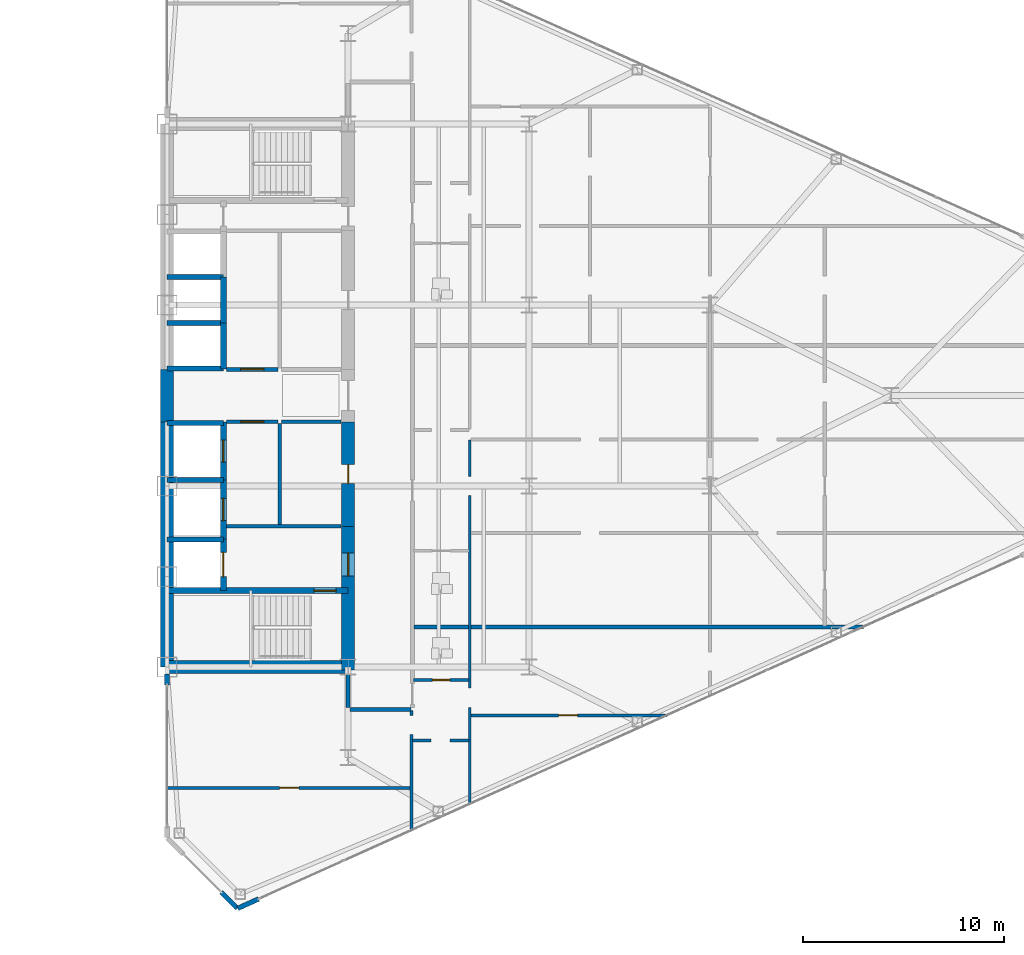
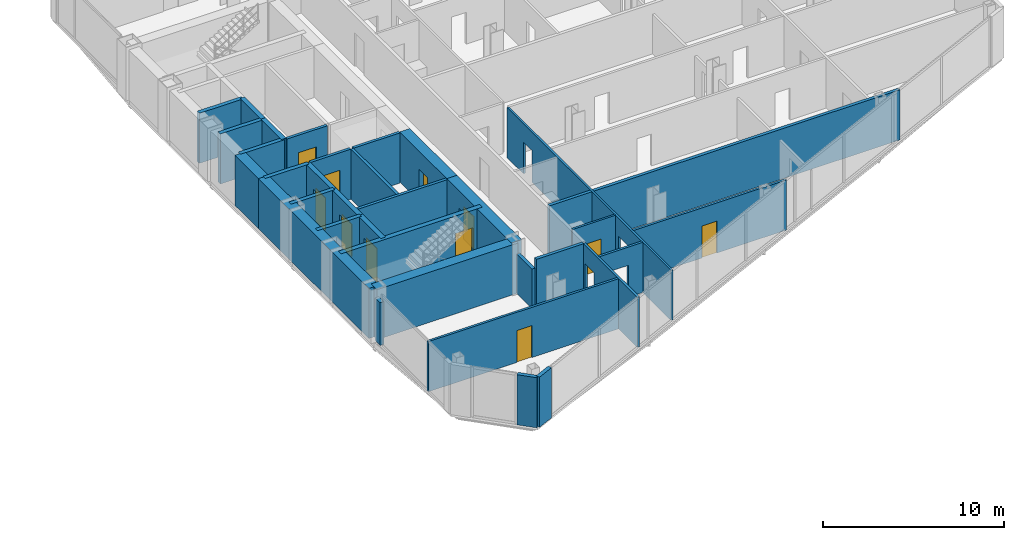
# One storey, part 22 of 27: 34 walls, 11 doors, 15 openings.
"""IFC4 building model written with IfcOpenShell, lengths in metres."""

import ifcopenshell
import ifcopenshell.guid

model = None  # the IFC model being written
_history = None  # IfcOwnerHistory: only IFC2X3 demands one
_inside = {}  # id of a spatial element -> (the spatial element, [elements in it])
_under = {}  # id of a project, library or spatial element -> (it, [spatial elements below it])
_declared = {}  # id of a project -> (the project, [libraries it declares])
_typed = {}  # id of a type object -> (the type object, [elements of that type])
_made_of = {}  # id of a material, layer set ... -> (it, [elements and type objects made of it])


def new_model(schema):
    """Start an empty IFC model of exactly this schema.

    Asked for "IFC4X3", IfcOpenShell would pick the latest addendum, in which some entities
    have other attributes; the version numbers below select the first issue.
    IFC2X3 requires an IfcOwnerHistory on every rooted entity: one is made here for all.
    """
    global model, _history
    if schema == "IFC4X3":
        model = ifcopenshell.file(schema_version=(4, 3, 0, 0))
    else:
        model = ifcopenshell.file(schema=schema)
    _inside.clear()
    _under.clear()
    _declared.clear()
    _typed.clear()
    _made_of.clear()
    _history = None
    if model.schema == "IFC2X3":
        org = make("IfcOrganization", Name="unknown")
        user = make(
            "IfcPersonAndOrganization",
            ThePerson=make("IfcPerson", FamilyName="unknown"),
            TheOrganization=org,
        )
        app = make(
            "IfcApplication",
            ApplicationDeveloper=org,
            Version="unknown",
            ApplicationFullName="unknown",
            ApplicationIdentifier="unknown",
        )
        _history = make(
            "IfcOwnerHistory",
            OwningUser=user,
            OwningApplication=app,
            ChangeAction="ADDED",
            CreationDate=0,
        )
    return model


def make(cls, **values):
    """One entity of the class cls with the attributes given. An attribute that is None is left unset."""
    return model.create_entity(
        cls, **{name: value for name, value in values.items() if value is not None}
    )


def rooted(cls, **values):
    """An entity with a GlobalId (a new one), such as an element, a storey or a relation."""
    return make(cls, GlobalId=ifcopenshell.guid.new(), OwnerHistory=_history, **values)


def si_unit(unit_type, name, prefix=None):
    """IfcSIUnit, for example si_unit("LENGTHUNIT", "METRE", prefix="MILLI")."""
    return make("IfcSIUnit", UnitType=unit_type, Prefix=prefix, Name=name)


def assignment(units):
    """IfcUnitAssignment: the units of a project."""
    return None if units is None else make("IfcUnitAssignment", Units=units)


def point(xyz):
    """IfcCartesianPoint."""
    return None if xyz is None else make("IfcCartesianPoint", Coordinates=xyz)


def direction(xyz):
    """IfcDirection."""
    return None if xyz is None else make("IfcDirection", DirectionRatios=xyz)


def frame(location, z_axis=None, x_axis=None):
    """IfcAxis2Placement3D, a coordinate frame: its origin and axes. An axis left out is left unset."""
    return make(
        "IfcAxis2Placement3D",
        Location=point(location),
        Axis=direction(z_axis),
        RefDirection=direction(x_axis),
    )


def frame_2d(location, x_axis=None):
    """IfcAxis2Placement2D, a coordinate frame in the plane: its origin and x axis."""
    return make(
        "IfcAxis2Placement2D", Location=point(location), RefDirection=direction(x_axis)
    )


def origin():
    """The frame at (0, 0, 0) with its axes left unset."""
    return frame((0.0, 0.0, 0.0))


def place(relative_to, where):
    """IfcLocalPlacement: puts the frame where relative to a parent placement (None: the world)."""
    return make(
        "IfcLocalPlacement", PlacementRelTo=relative_to, RelativePlacement=where
    )


def context(
    kind, dimensions, precision=None, world=None, true_north=None, identifier=None
):
    """IfcGeometricRepresentationContext, for example the 3D "Model" context."""
    return make(
        "IfcGeometricRepresentationContext",
        ContextIdentifier=identifier,
        ContextType=kind,
        CoordinateSpaceDimension=dimensions,
        Precision=precision,
        WorldCoordinateSystem=world,
        TrueNorth=true_north,
    )


def subcontext(parent, identifier, kind, view, scale=None):
    """IfcGeometricRepresentationSubContext, for example "Body" below "Model"."""
    return make(
        "IfcGeometricRepresentationSubContext",
        ContextIdentifier=identifier,
        ContextType=kind,
        ParentContext=parent,
        TargetScale=scale,
        TargetView=view,
    )


def project(units=None, contexts=None):
    """IfcProject with its units and contexts."""
    return rooted(
        "IfcProject",
        Name="project",
        RepresentationContexts=contexts,
        UnitsInContext=assignment(units),
    )


def spatial(cls, under=None, at=None, **own):
    """A site, building, storey or space (cls), placed at a placement, below another one or the project."""
    s = rooted(cls, ObjectPlacement=at, **own)
    if under is not None:
        _under.setdefault(under.id(), (under, []))[1].append(s)
    return s


def profile(cls, at=None, kind="AREA", **sizes):
    """A parametric profile (cls). Its sizes go by their IFC names, for example OverallWidth=200.0."""
    return make(cls, ProfileType=kind, Position=at, **sizes)


def rectangle(**sizes):
    """IfcRectangleProfileDef."""
    return profile("IfcRectangleProfileDef", **sizes)


def extrude(swept, where, along, depth):
    """IfcExtrudedAreaSolid: the profile swept, set in the frame where, extruded along a direction by depth."""
    return make(
        "IfcExtrudedAreaSolid",
        SweptArea=swept,
        Position=where,
        ExtrudedDirection=direction(along),
        Depth=depth,
    )


def shape(context_of_items, identifier, shape_type, items):
    """IfcShapeRepresentation: the items that make up one representation, for example the "Body"."""
    return make(
        "IfcShapeRepresentation",
        ContextOfItems=context_of_items,
        RepresentationIdentifier=identifier,
        RepresentationType=shape_type,
        Items=items,
    )


def source(mapping_origin, context_of_items, identifier, shape_type, items):
    """IfcRepresentationMap: a shape defined once, which mapped items show again and again."""
    return make(
        "IfcRepresentationMap",
        MappingOrigin=mapping_origin,
        MappedRepresentation=shape(context_of_items, identifier, shape_type, items),
    )


def transform(
    local_origin,
    x_axis=None,
    y_axis=None,
    z_axis=None,
    scale=None,
    scale2=None,
    scale3=None,
    uniform=True,
):
    """IfcCartesianTransformationOperator3D, or its non-uniform kind. x_axis, y_axis, z_axis: its Axis1, 2, 3."""
    if uniform:
        return make(
            "IfcCartesianTransformationOperator3D",
            Axis1=direction(x_axis),
            Axis2=direction(y_axis),
            LocalOrigin=point(local_origin),
            Scale=scale,
            Axis3=direction(z_axis),
        )
    return make(
        "IfcCartesianTransformationOperator3DnonUniform",
        Axis1=direction(x_axis),
        Axis2=direction(y_axis),
        LocalOrigin=point(local_origin),
        Scale=scale,
        Axis3=direction(z_axis),
        Scale2=scale2,
        Scale3=scale3,
    )


def mapped(mapping_source, mapping_target):
    """IfcMappedItem: shows the shape of a source again, moved by a transform."""
    return make(
        "IfcMappedItem", MappingSource=mapping_source, MappingTarget=mapping_target
    )


def material(Name=None, Category=None):
    """IfcMaterial."""
    return make("IfcMaterial", Name=Name, Category=Category)


def layer(
    of_material, thickness, ventilated=None, Name=None, Category=None, Priority=None
):
    """IfcMaterialLayer: one layer of a wall or slab, of a material (None: an air gap)."""
    return make(
        "IfcMaterialLayer",
        Material=of_material,
        LayerThickness=thickness,
        IsVentilated=ventilated,
        Name=Name,
        Category=Category,
        Priority=Priority,
    )


def layer_set(layers, Name=None):
    """IfcMaterialLayerSet."""
    return make("IfcMaterialLayerSet", MaterialLayers=layers, LayerSetName=Name)


def made_of(thing, what):
    """Note that an element or type object is made of a material, layer set ...; save() writes the relation."""
    if what is not None:
        _made_of.setdefault(what.id(), (what, []))[1].append(thing)
    return thing


def type_object(cls, material=None, **own):
    """A type object (cls), such as IfcWallType, which elements share."""
    return made_of(rooted(cls, **own), material)


def type_shapes(of_type, sources):
    """Give a type object the sources (RepresentationMaps) that its elements show as mapped items."""
    of_type.RepresentationMaps = sources


def element(
    cls,
    number,
    at=None,
    inside=None,
    cuts=None,
    type_object=None,
    material=None,
    context=None,
    identifier="Body",
    shape_type=None,
    held_by="IfcProductDefinitionShape",
    body=None,
    shapes=None,
    **own,
):
    """One element of the class cls, such as IfcWall. Its Tag is "e" and its number.

    at: its placement. inside: the storey or other place that contains it. cuts: it is an
    opening in that element (IfcRelVoidsElement). A single representation is given by context,
    identifier, shape_type and body (its items); several are given by shapes. held_by: the class
    of the entity that holds the representations. save() writes the other relations.
    """
    e = rooted(cls, Tag="e%d" % number, ObjectPlacement=at, **own)
    if body is not None:
        shapes = [shape(context, identifier, shape_type, body)]
    if shapes is not None:
        e.Representation = make(held_by, Representations=shapes)
    if inside is not None:
        _inside.setdefault(inside.id(), (inside, []))[1].append(e)
    if cuts is not None:
        rooted(
            "IfcRelVoidsElement", RelatingBuildingElement=cuts, RelatedOpeningElement=e
        )
    if type_object is not None:
        _typed.setdefault(type_object.id(), (type_object, []))[1].append(e)
    return made_of(e, material)


def fill(opening, filler):
    """IfcRelFillsElement: the door or window that sits in an opening."""
    return rooted(
        "IfcRelFillsElement",
        RelatingOpeningElement=opening,
        RelatedBuildingElement=filler,
    )


def aggregate(whole, parts):
    """IfcRelAggregates: a whole, such as a stair, and the parts it consists of."""
    return rooted("IfcRelAggregates", RelatingObject=whole, RelatedObjects=parts)


def save(model, path):
    """Write the relations noted so far, then the file.

    IfcRelAggregates (storeys below a building ...), IfcRelContainedInSpatialStructure (elements
    in a storey), IfcRelDefinesByType, IfcRelAssociatesMaterial and IfcRelDeclares: one each for
    every whole, place, type object, material and project.
    """
    for whole, parts in _under.values():
        aggregate(whole, parts)
    for where, things in _inside.values():
        rooted(
            "IfcRelContainedInSpatialStructure",
            RelatedElements=things,
            RelatingStructure=where,
        )
    for kind, things in _typed.values():
        rooted("IfcRelDefinesByType", RelatedObjects=things, RelatingType=kind)
    for what, things in _made_of.values():
        rooted("IfcRelAssociatesMaterial", RelatedObjects=things, RelatingMaterial=what)
    for by, libraries in _declared.values():
        rooted("IfcRelDeclares", RelatingContext=by, RelatedDefinitions=libraries)
    model.write(path)


model = new_model("IFC4")

# Units and contexts
model_context = context("Model", 3, precision=1e-05, world=origin(), true_north=direction((0.0, 1.0)))
body_context = subcontext(model_context, "Body", "Model", "MODEL_VIEW")
ifc_project = project(units=[si_unit("LENGTHUNIT", "METRE"), si_unit("AREAUNIT", "SQUARE_METRE"), si_unit("VOLUMEUNIT", "CUBIC_METRE"), si_unit("PLANEANGLEUNIT", "RADIAN"), si_unit("MASSUNIT", "GRAM", prefix="KILO")], contexts=[model_context])

# Site, building, storey
site_placement = place(None, origin())
site = spatial("IfcSite", under=ifc_project, at=site_placement, CompositionType="ELEMENT")
building_placement = place(site_placement, origin())
building = spatial("IfcBuilding", under=site, at=building_placement, Name="Seokmaru Belvedere", CompositionType="ELEMENT")
storey_placement = place(building_placement, frame((0.0, 0.0, 65.699951171875)))
storey = spatial("IfcBuildingStorey", under=building, at=storey_placement, Name="L17", CompositionType="ELEMENT", Elevation=65.699951171875)

# Wall, opening, door
ifc_material_1 = material(Name="Fire-Rated Gypsum Shaftwall")
ifc_layer_1 = layer(ifc_material_1, 0.14990234375)
ifc_layer_set_1 = layer_set([ifc_layer_1], Name="Fire-Rated Gypsum Shaftwall")
wall_type_1 = type_object("IfcWallType", Name="Apartment Fire-Acoustic Room Partition 150", PredefinedType="PARTITIONING", material=ifc_layer_set_1)
wall_1_placement = place(storey_placement, frame((27.465087890625, -19.5, 0.0), z_axis=(0.0, 0.0, 1.0), x_axis=(1.0, 0.0, 0.0)))
wall_1 = element("IfcWall", 1, at=wall_1_placement, inside=storey, type_object=wall_type_1, Name="L17 Interior Partition 002", PredefinedType="PARTITIONING", context=body_context, shape_type="SweptSolid", body=[
    extrude(rectangle(XDim=12.135009765625, YDim=0.14990234375, at=frame_2d((6.0673828125, 0.0))), origin(), (0.0, 0.0, 1.0), 3.380126953125),
])
opening_1_placement = place(wall_1_placement, frame((5.635009765625, 0.0, 0.0)))
opening_1 = element("IfcOpeningElement", 2, at=opening_1_placement, cuts=wall_1, Name="Opening D05", PredefinedType="OPENING", context=body_context, shape_type="SweptSolid", body=[
    extrude(rectangle(XDim=0.949951171875, YDim=2.14990234375, at=frame_2d((0.47509765625, 1.074951171875))), frame((0.0, 0.0849609375, 0.0), z_axis=(0.0, -1.0, 0.0), x_axis=(1.0, 0.0, 0.0)), (0.0, 0.0, 1.0), 0.169921875),
])
ifc_material_2 = material(Name="Engineered White Oak Timber", Category="wood")
door_type_1 = type_object("IfcDoorType", Name="Apartment Interior Fire-Rated Oak Door 950x2150", OperationType="NOTDEFINED", PredefinedType="DOOR", material=ifc_material_2)
shared_shape_1 = source(origin(), body_context, "Body", "SweptSolid", [
    extrude(rectangle(XDim=0.949951171875, YDim=2.14990234375, at=frame_2d((0.47509765625, 1.074951171875))), frame((0.0, 0.02490234375, 0.0), z_axis=(0.0, -1.0, 0.0), x_axis=(1.0, 0.0, 0.0)), (0.0, 0.0, 1.0), 0.050048828125),
])
type_shapes(door_type_1, [shared_shape_1])
door_1_placement = place(opening_1_placement, origin())
door_1 = element("IfcDoor", 3, at=door_1_placement, inside=storey, type_object=door_type_1, Name="L17 Interior Door 033", OperationType="SINGLE_SWING_LEFT", OverallHeight=2.14990234375, OverallWidth=0.949951171875, PredefinedType="DOOR", context=body_context, shape_type="MappedRepresentation", body=[
    mapped(shared_shape_1, transform((0.0, 0.0, 0.0), scale=1.0)),
])
fill(opening_1, door_1)

# Wall, opening
wall_2_placement = place(storey_placement, frame((39.699951171875, -17.139892578125, 0.0), z_axis=(0.0, 0.0, 1.0), x_axis=(1.0, 0.0, 0.0)))
wall_2 = element("IfcWall", 4, at=wall_2_placement, inside=storey, type_object=wall_type_1, Name="L17 Interior Partition 003", PredefinedType="PARTITIONING", context=body_context, shape_type="SweptSolid", body=[
    extrude(rectangle(XDim=2.800048828125, YDim=0.14990234375, at=frame_2d((1.39990234375, 0.0))), origin(), (0.0, 0.0, 1.0), 3.380126953125),
])
opening_2_placement = place(wall_2_placement, frame((0.925048828125, 0.0, 0.0)))
element("IfcOpeningElement", 5, at=opening_2_placement, cuts=wall_2, Name="L17 Cased Opening 028", PredefinedType="OPENING", context=body_context, shape_type="SweptSolid", body=[
    extrude(rectangle(XDim=0.949951171875, YDim=2.14990234375, at=frame_2d((0.47509765625, 1.074951171875))), frame((0.0, 0.0849609375, 0.0), z_axis=(0.0, -1.0, 0.0), x_axis=(1.0, 0.0, 0.0)), (0.0, 0.0, 1.0), 0.169921875),
])

# Wall, opening, door
wall_3_placement = place(storey_placement, frame((42.60009765625, -15.89990234375, 0.0), z_axis=(0.0, 0.0, 1.0), x_axis=(1.0, 0.0, 0.0)))
wall_3 = element("IfcWall", 6, at=wall_3_placement, inside=storey, type_object=wall_type_1, Name="L17 Interior Partition 005", PredefinedType="PARTITIONING", context=body_context, shape_type="SweptSolid", body=[
    extrude(rectangle(XDim=9.764892578125, YDim=0.14990234375, at=frame_2d((4.88232421875, 0.0))), origin(), (0.0, 0.0, 1.0), 3.380126953125),
])
opening_3_placement = place(wall_3_placement, frame((4.365234375, 0.0, 0.0)))
opening_3 = element("IfcOpeningElement", 7, at=opening_3_placement, cuts=wall_3, Name="Opening D05", PredefinedType="OPENING", context=body_context, shape_type="SweptSolid", body=[
    extrude(rectangle(XDim=0.949951171875, YDim=2.14990234375, at=frame_2d((0.47509765625, 1.074951171875))), frame((0.0, 0.0849609375, 0.0), z_axis=(0.0, -1.0, 0.0), x_axis=(1.0, 0.0, 0.0)), (0.0, 0.0, 1.0), 0.169921875),
])
door_2_placement = place(opening_3_placement, origin())
door_2 = element("IfcDoor", 8, at=door_2_placement, inside=storey, type_object=door_type_1, Name="L17 Interior Door 032", OperationType="SINGLE_SWING_RIGHT", OverallHeight=2.14990234375, OverallWidth=0.949951171875, PredefinedType="DOOR", context=body_context, shape_type="MappedRepresentation", body=[
    mapped(shared_shape_1, transform((0.0, 0.0, 0.0), scale=1.0)),
])
fill(opening_3, door_2)

# Wall, opening
wall_4_placement = place(storey_placement, frame((39.64990234375, -21.64208984375, 0.0), z_axis=(0.0, 0.0, 1.0), x_axis=(0.0, 1.0, 0.0)))
wall_4 = element("IfcWall", 9, at=wall_4_placement, inside=storey, type_object=wall_type_1, Name="L17 Interior Partition 042", PredefinedType="PARTITIONING", context=body_context, shape_type="SweptSolid", body=[
    extrude(rectangle(XDim=5.9921875, YDim=0.14990234375, at=frame_2d((2.99609375, 0.0))), origin(), (0.0, 0.0, 1.0), 3.380126953125),
])
opening_4_placement = place(wall_4_placement, frame((4.79443359375, 0.0, 0.0)))
element("IfcOpeningElement", 10, at=opening_4_placement, cuts=wall_4, Name="L17 Cased Opening 030", PredefinedType="OPENING", context=body_context, shape_type="SweptSolid", body=[
    extrude(rectangle(XDim=0.949951171875, YDim=2.14990234375, at=frame_2d((0.47509765625, 1.074951171875))), frame((0.0, 0.0849609375, 0.0), z_axis=(0.0, -1.0, 0.0), x_axis=(1.0, 0.0, 0.0)), (0.0, 0.0, 1.0), 0.169921875),
])

# Walls
ifc_layer_2 = layer(ifc_material_1, 0.179931640625)
ifc_layer_set_2 = layer_set([ifc_layer_2], Name="Fire-Rated Gypsum Shaftwall")
wall_type_2 = type_object("IfcWallType", Name="Core Service Fire Partition 180", PredefinedType="PARTITIONING", material=ifc_layer_set_2)
wall_5_placement = place(storey_placement, frame((30.449951171875, -6.5, 0.0), z_axis=(0.0, 0.0, 1.0), x_axis=(1.0, 0.0, 0.0)))
element("IfcWall", 11, at=wall_5_placement, inside=storey, type_object=wall_type_2, Name="L17 East Firefighting Lobby Partition", PredefinedType="PARTITIONING", context=body_context, shape_type="SweptSolid", body=[
    extrude(rectangle(XDim=5.699951171875, YDim=0.179931640625, at=frame_2d((2.85009765625, 0.0))), origin(), (0.0, 0.0, 1.0), 3.380126953125),
])
wall_6_placement = place(storey_placement, frame((33.10009765625, -6.419921875, 0.0), z_axis=(0.0, 0.0, 1.0), x_axis=(0.0, 1.0, 0.0)))
element("IfcWall", 12, at=wall_6_placement, inside=storey, type_object=wall_type_2, Name="L17 East South Core Service Back Wall", PredefinedType="PARTITIONING", context=body_context, shape_type="SweptSolid", body=[
    extrude(rectangle(XDim=5.0400390625, YDim=0.179931640625, at=frame_2d((2.52001953125, 0.0))), origin(), (0.0, 0.0, 1.0), 3.380126953125),
])

# Wall, opening, door
wall_7_placement = place(storey_placement, frame((30.449951171875, -1.300048828125, 0.0), z_axis=(0.0, 0.0, 1.0), x_axis=(1.0, 0.0, 0.0)))
wall_7 = element("IfcWall", 13, at=wall_7_placement, inside=storey, type_object=wall_type_2, Name="L17 East South Lift Lobby Foyer Wall", PredefinedType="PARTITIONING", context=body_context, shape_type="SweptSolid", body=[
    extrude(rectangle(XDim=2.570068359375, YDim=0.179931640625, at=frame_2d((1.28515625, 0.0))), origin(), (0.0, 0.0, 1.0), 3.380126953125),
])
opening_5_placement = place(wall_7_placement, frame((0.7099609375, 0.0, 0.0)))
opening_5 = element("IfcOpeningElement", 14, at=opening_5_placement, cuts=wall_7, Name="Opening D02", PredefinedType="OPENING", context=body_context, shape_type="SweptSolid", body=[
    extrude(rectangle(XDim=1.14990234375, YDim=2.199951171875, at=frame_2d((0.574951171875, 1.10009765625))), frame((0.0, 0.10009765625, 0.0), z_axis=(0.0, -1.0, 0.0), x_axis=(1.0, 0.0, 0.0)), (0.0, 0.0, 1.0), 0.199951171875),
])
ifc_material_3 = material(Name="Fire-Rated Steel Leaf", Category="steel")
door_type_2 = type_object("IfcDoorType", Name="Lobby and Vestibule Fire Door 1150x2200", OperationType="NOTDEFINED", PredefinedType="DOOR", material=ifc_material_3)
shared_shape_2 = source(origin(), body_context, "Body", "SweptSolid", [
    extrude(rectangle(XDim=1.14990234375, YDim=2.199951171875, at=frame_2d((0.574951171875, 1.10009765625))), frame((0.0, 0.02490234375, 0.0), z_axis=(0.0, -1.0, 0.0), x_axis=(1.0, 0.0, 0.0)), (0.0, 0.0, 1.0), 0.050048828125),
])
type_shapes(door_type_2, [shared_shape_2])
door_3_placement = place(opening_5_placement, origin())
door_3 = element("IfcDoor", 15, at=door_3_placement, inside=storey, type_object=door_type_2, Name="L17 East South Core Foyer Door", OperationType="SINGLE_SWING_RIGHT", OverallHeight=2.199951171875, OverallWidth=1.14990234375, PredefinedType="DOOR", context=body_context, shape_type="MappedRepresentation", body=[
    mapped(shared_shape_2, transform((0.0, 0.0, 0.0), scale=1.0)),
])
fill(opening_5, door_3)

wall_8_placement = place(storey_placement, frame((30.449951171875, 1.300048828125, 0.0), z_axis=(0.0, 0.0, 1.0), x_axis=(1.0, 0.0, 0.0)))
wall_8 = element("IfcWall", 16, at=wall_8_placement, inside=storey, type_object=wall_type_2, Name="L17 East North Lift Lobby Foyer Wall", PredefinedType="PARTITIONING", context=body_context, shape_type="SweptSolid", body=[
    extrude(rectangle(XDim=2.570068359375, YDim=0.179931640625, at=frame_2d((1.28515625, 0.0))), origin(), (0.0, 0.0, 1.0), 3.380126953125),
])
opening_6_placement = place(wall_8_placement, frame((0.7099609375, 0.0, 0.0)))
opening_6 = element("IfcOpeningElement", 17, at=opening_6_placement, cuts=wall_8, Name="Opening D02", PredefinedType="OPENING", context=body_context, shape_type="SweptSolid", body=[
    extrude(rectangle(XDim=1.14990234375, YDim=2.199951171875, at=frame_2d((0.574951171875, 1.10009765625))), frame((0.0, 0.10009765625, 0.0), z_axis=(0.0, -1.0, 0.0), x_axis=(1.0, 0.0, 0.0)), (0.0, 0.0, 1.0), 0.199951171875),
])
door_4_placement = place(opening_6_placement, origin())
door_4 = element("IfcDoor", 18, at=door_4_placement, inside=storey, type_object=door_type_2, Name="L17 East North Lift Lobby Door", OperationType="SINGLE_SWING_LEFT", OverallHeight=2.199951171875, OverallWidth=1.14990234375, PredefinedType="DOOR", context=body_context, shape_type="MappedRepresentation", body=[
    mapped(shared_shape_2, transform((0.0, 0.0, 0.0), scale=1.0)),
])
fill(opening_6, door_4)

# Walls
wall_9_placement = place(storey_placement, frame((33.199951171875, -1.300048828125, 0.0), z_axis=(0.0, 0.0, 1.0), x_axis=(1.0, 0.0, 0.0)))
element("IfcWall", 19, at=wall_9_placement, inside=storey, type_object=wall_type_2, Name="L17 East Foyer Side Wall S", PredefinedType="PARTITIONING", context=body_context, shape_type="SweptSolid", body=[
    extrude(rectangle(XDim=2.949951171875, YDim=0.179931640625, at=frame_2d((1.47509765625, 0.0))), origin(), (0.0, 0.0, 1.0), 3.380126953125),
])
ifc_material_4 = material(Name="Concrete C50 (50 MPa)", Category="concrete")
ifc_layer_3 = layer(ifc_material_4, 0.25)
ifc_layer_set_3 = layer_set([ifc_layer_3], Name="Concrete C50 (50 MPa)")
wall_type_3 = type_object("IfcWallType", Name="Hoistway Transverse Concrete Divider Wall 250", PredefinedType="SHEAR", material=ifc_layer_set_3)
for number, where, z_axis, x_axis, name in (
    (20, (27.5, -7.14990234375, 0.0), (0.0, 0.0, 1.0), (1.0, 0.0, 0.0), "L17 East Hoistway Divider Core Wall 1"),
    (21, (27.5, -4.199951171875, 0.0), (0.0, 0.0, 1.0), (1.0, 0.0, 0.0), "L17 East Hoistway Divider Core Wall 2"),
    (22, (27.5, -1.35009765625, 0.0), (0.0, 0.0, 1.0), (1.0, 0.0, 0.0), "L17 East Hoistway Divider Core Wall 3"),
    (23, (27.5, 1.35009765625, 0.0), (0.0, 0.0, 1.0), (1.0, 0.0, 0.0), "L17 East Hoistway Divider Core Wall 4"),
    (24, (27.5, 3.60009765625, 0.0), (0.0, 0.0, 1.0), (1.0, 0.0, 0.0), "L17 East Hoistway Divider Core Wall 5"),
    (25, (27.5, 5.89990234375, 0.0), (0.0, 0.0, 1.0), (1.0, 0.0, 0.0), "L17 East Hoistway Divider Core Wall 6"),
):
    element("IfcWall", number, at=place(storey_placement, frame(where, z_axis=z_axis, x_axis=x_axis)), inside=storey, type_object=wall_type_3, Name=name, PredefinedType="SHEAR", context=body_context, shape_type="SweptSolid", body=[
        extrude(rectangle(XDim=2.800048828125, YDim=0.25, at=frame_2d((1.39990234375, 0.0))), origin(), (0.0, 0.0, 1.0), 3.380126953125),
    ])
ifc_layer_4 = layer(ifc_material_1, 0.199951171875)
ifc_layer_set_4 = layer_set([ifc_layer_4], Name="Fire-Rated Gypsum Shaftwall")
wall_type_4 = type_object("IfcWallType", Name="Inter-Tenancy Fire Compartment Partition 200", PredefinedType="PARTITIONING", material=ifc_layer_set_4)
wall_10_placement = place(storey_placement, frame((36.5849609375, -15.60009765625, 0.0), z_axis=(0.0, 0.0, 1.0), x_axis=(1.0, 0.0, 0.0)))
element("IfcWall", 26, at=wall_10_placement, inside=storey, type_object=wall_type_4, Name="L17 Interior Partition 007", PredefinedType="PARTITIONING", context=body_context, shape_type="SweptSolid", body=[
    extrude(rectangle(XDim=3.030029296875, YDim=0.199951171875, at=frame_2d((1.51513671875, 0.0))), origin(), (0.0, 0.0, 1.0), 3.380126953125),
])
wall_11_placement = place(storey_placement, frame((39.780029296875, -11.5, 0.0), z_axis=(0.0, 0.0, 1.0), x_axis=(1.0, 0.0, 0.0)))
element("IfcWall", 27, at=wall_11_placement, inside=storey, type_object=wall_type_4, Name="L17 Interior Partition 011", PredefinedType="PARTITIONING", context=body_context, shape_type="SweptSolid", body=[
    extrude(rectangle(XDim=22.343017578125, YDim=0.199951171875, at=frame_2d((11.17138671875, 0.0))), origin(), (0.0, 0.0, 1.0), 3.380126953125),
])
wall_12_placement = place(storey_placement, frame((36.5, -15.514892578125, 0.0), z_axis=(0.0, 0.0, 1.0), x_axis=(0.0, 1.0, 0.0)))
element("IfcWall", 28, at=wall_12_placement, inside=storey, type_object=wall_type_4, Name="L17 Interior Partition 040", PredefinedType="PARTITIONING", context=body_context, shape_type="SweptSolid", body=[
    extrude(rectangle(XDim=1.684814453125, YDim=0.199951171875, at=frame_2d((0.84228515625, 0.0))), origin(), (0.0, 0.0, 1.0), 2.679931640625),
])

# Wall, opening, door
ifc_layer_5 = layer(ifc_material_4, 0.300048828125)
ifc_layer_set_5 = layer_set([ifc_layer_5], Name="Concrete C50 (50 MPa)")
wall_type_5 = type_object("IfcWallType", Name="Internal Core Stair and Hoistway Wall 300", PredefinedType="SHEAR", material=ifc_layer_set_5)
wall_13_placement = place(storey_placement, frame((27.5, -9.699951171875, 0.0), z_axis=(0.0, 0.0, 1.0), x_axis=(1.0, 0.0, 0.0)))
wall_13 = element("IfcWall", 29, at=wall_13_placement, inside=storey, type_object=wall_type_5, Name="L17 East Stair ST-1 Enclosure Wall", PredefinedType="SHEAR", context=body_context, shape_type="SweptSolid", body=[
    extrude(rectangle(XDim=9.0, YDim=0.300048828125, at=frame_2d((4.5, 0.0))), origin(), (0.0, 0.0, 1.0), 3.380126953125),
])
opening_7_placement = place(wall_13_placement, frame((7.300048828125, 0.0, 0.0)))
opening_7 = element("IfcOpeningElement", 30, at=opening_7_placement, cuts=wall_13, Name="Opening D01", PredefinedType="OPENING", context=body_context, shape_type="SweptSolid", body=[
    extrude(rectangle(XDim=1.10009765625, YDim=2.199951171875, at=frame_2d((0.550048828125, 1.10009765625))), frame((0.0, 0.16015625, 0.0), z_axis=(0.0, -1.0, 0.0), x_axis=(1.0, 0.0, 0.0)), (0.0, 0.0, 1.0), 0.320068359375),
])
door_type_3 = type_object("IfcDoorType", Name="Special Escape Stair Smokeproof Fire Door 1100x2200", OperationType="NOTDEFINED", PredefinedType="DOOR", material=ifc_material_3)
shared_shape_3 = source(origin(), body_context, "Body", "SweptSolid", [
    extrude(rectangle(XDim=1.10009765625, YDim=2.199951171875, at=frame_2d((0.550048828125, 1.10009765625))), frame((0.0, 0.02490234375, 0.0), z_axis=(0.0, -1.0, 0.0), x_axis=(1.0, 0.0, 0.0)), (0.0, 0.0, 1.0), 0.050048828125),
])
type_shapes(door_type_3, [shared_shape_3])
door_5_placement = place(opening_7_placement, frame((1.10009765625, 0.0, 0.0), z_axis=(0.0, 0.0, 1.0), x_axis=(-1.0, 0.0, 0.0)))
door_5 = element("IfcDoor", 31, at=door_5_placement, inside=storey, type_object=door_type_3, Name="L17 East Special Escape Stair ST-1 Door", OperationType="SINGLE_SWING_RIGHT", OverallHeight=2.199951171875, OverallWidth=1.10009765625, PredefinedType="DOOR", context=body_context, shape_type="MappedRepresentation", body=[
    mapped(shared_shape_3, transform((0.0, 0.0, 0.0), scale=1.0)),
])
fill(opening_7, door_5)

wall_14_placement = place(storey_placement, frame((30.300048828125, -9.679931640625, 0.0), z_axis=(0.0, 0.0, 1.0), x_axis=(0.0, 1.0, 0.0)))
wall_14 = element("IfcWall", 32, at=wall_14_placement, inside=storey, type_object=wall_type_5, Name="L17 East Firefighting Lift Shaft Front Wall", PredefinedType="SHEAR", context=body_context, shape_type="SweptSolid", body=[
    extrude(rectangle(XDim=2.559814453125, YDim=0.300048828125, at=frame_2d((1.27978515625, 0.0))), origin(), (0.0, 0.0, 1.0), 3.380126953125),
])
opening_8_placement = place(wall_14_placement, frame((0.679931640625, 0.0, 0.0)))
opening_8 = element("IfcOpeningElement", 33, at=opening_8_placement, cuts=wall_14, Name="Opening LD2", PredefinedType="OPENING", context=body_context, shape_type="SweptSolid", body=[
    extrude(rectangle(XDim=1.199951171875, YDim=2.25, at=frame_2d((0.60009765625, 1.125))), frame((0.0, 0.16015625, 0.0), z_axis=(0.0, -1.0, 0.0), x_axis=(1.0, 0.0, 0.0)), (0.0, 0.0, 1.0), 0.320068359375),
])
ifc_material_5 = material(Name="Stainless Steel 316", Category="steel")
door_type_4 = type_object("IfcDoorType", Name="Firefighting Lift Sliding Landing Door 1200x2250", OperationType="DOUBLE_DOOR_SLIDING", PredefinedType="DOOR", material=ifc_material_5)
shared_shape_4 = source(origin(), body_context, "Body", "SweptSolid", [
    extrude(rectangle(XDim=1.199951171875, YDim=2.25, at=frame_2d((0.60009765625, 1.125))), frame((0.0, 0.02490234375, 0.0), z_axis=(0.0, -1.0, 0.0), x_axis=(1.0, 0.0, 0.0)), (0.0, 0.0, 1.0), 0.050048828125),
])
type_shapes(door_type_4, [shared_shape_4])
door_6_placement = place(opening_8_placement, origin())
door_6 = element("IfcDoor", 34, at=door_6_placement, inside=storey, type_object=door_type_4, Name="L17 East Firefighting Lift Landing Door", OperationType="DOUBLE_DOOR_SLIDING", OverallHeight=2.25, OverallWidth=1.199951171875, PredefinedType="DOOR", context=body_context, shape_type="MappedRepresentation", body=[
    mapped(shared_shape_4, transform((0.0, 0.0, 0.0), scale=1.0)),
])
fill(opening_8, door_6)

wall_15_placement = place(storey_placement, frame((30.300048828125, -7.1201171875, 0.0), z_axis=(0.0, 0.0, 1.0), x_axis=(0.0, 1.0, 0.0)))
wall_15 = element("IfcWall", 35, at=wall_15_placement, inside=storey, type_object=wall_type_5, Name="L17 East Low-Rise Lift PL-1 Front Wall", PredefinedType="SHEAR", context=body_context, shape_type="SweptSolid", body=[
    extrude(rectangle(XDim=2.920166015625, YDim=0.300048828125, at=frame_2d((1.4599609375, 0.0))), origin(), (0.0, 0.0, 1.0), 3.380126953125),
])
opening_9_placement = place(wall_15_placement, frame((0.909912109375, 0.0, 0.0)))
opening_9 = element("IfcOpeningElement", 36, at=opening_9_placement, cuts=wall_15, Name="Opening LD1", PredefinedType="OPENING", context=body_context, shape_type="SweptSolid", body=[
    extrude(rectangle(XDim=1.10009765625, YDim=2.199951171875, at=frame_2d((0.550048828125, 1.10009765625))), frame((0.0, 0.16015625, 0.0), z_axis=(0.0, -1.0, 0.0), x_axis=(1.0, 0.0, 0.0)), (0.0, 0.0, 1.0), 0.320068359375),
])
door_type_5 = type_object("IfcDoorType", Name="Passenger Lift Sliding Landing Door 1100x2200", OperationType="DOUBLE_DOOR_SLIDING", PredefinedType="DOOR", material=ifc_material_5)
shared_shape_5 = source(origin(), body_context, "Body", "SweptSolid", [
    extrude(rectangle(XDim=1.10009765625, YDim=2.199951171875, at=frame_2d((0.550048828125, 1.10009765625))), frame((0.0, 0.02490234375, 0.0), z_axis=(0.0, -1.0, 0.0), x_axis=(1.0, 0.0, 0.0)), (0.0, 0.0, 1.0), 0.050048828125),
])
type_shapes(door_type_5, [shared_shape_5])
door_7_placement = place(opening_9_placement, origin())
door_7 = element("IfcDoor", 37, at=door_7_placement, inside=storey, type_object=door_type_5, Name="L17 East Low-Rise Lift PL-1 Landing Door", OperationType="DOUBLE_DOOR_SLIDING", OverallHeight=2.199951171875, OverallWidth=1.10009765625, PredefinedType="DOOR", context=body_context, shape_type="MappedRepresentation", body=[
    mapped(shared_shape_5, transform((0.0, 0.0, 0.0), scale=1.0)),
])
fill(opening_9, door_7)

wall_16_placement = place(storey_placement, frame((30.300048828125, -4.199951171875, 0.0), z_axis=(0.0, 0.0, 1.0), x_axis=(0.0, 1.0, 0.0)))
wall_16 = element("IfcWall", 38, at=wall_16_placement, inside=storey, type_object=wall_type_5, Name="L17 East Low-Rise Lift PL-2 Front Wall", PredefinedType="SHEAR", context=body_context, shape_type="SweptSolid", body=[
    extrude(rectangle(XDim=2.8798828125, YDim=0.300048828125, at=frame_2d((1.43994140625, 0.0))), origin(), (0.0, 0.0, 1.0), 3.380126953125),
])
opening_10_placement = place(wall_16_placement, frame((0.889892578125, 0.0, 0.0)))
opening_10 = element("IfcOpeningElement", 39, at=opening_10_placement, cuts=wall_16, Name="Opening LD1", PredefinedType="OPENING", context=body_context, shape_type="SweptSolid", body=[
    extrude(rectangle(XDim=1.10009765625, YDim=2.199951171875, at=frame_2d((0.550048828125, 1.10009765625))), frame((0.0, 0.16015625, 0.0), z_axis=(0.0, -1.0, 0.0), x_axis=(1.0, 0.0, 0.0)), (0.0, 0.0, 1.0), 0.320068359375),
])
door_8_placement = place(opening_10_placement, origin())
door_8 = element("IfcDoor", 40, at=door_8_placement, inside=storey, type_object=door_type_5, Name="L17 East Low-Rise Lift PL-2 Landing Door", OperationType="DOUBLE_DOOR_SLIDING", OverallHeight=2.199951171875, OverallWidth=1.10009765625, PredefinedType="DOOR", context=body_context, shape_type="MappedRepresentation", body=[
    mapped(shared_shape_5, transform((0.0, 0.0, 0.0), scale=1.0)),
])
fill(opening_10, door_8)

# Walls
wall_17_placement = place(storey_placement, frame((30.300048828125, 1.320068359375, 0.0), z_axis=(0.0, 0.0, 1.0), x_axis=(0.0, 1.0, 0.0)))
element("IfcWall", 41, at=wall_17_placement, inside=storey, type_object=wall_type_5, Name="L17 East North Hoistway Wall PH1", PredefinedType="SHEAR", context=body_context, shape_type="SweptSolid", body=[
    extrude(rectangle(XDim=2.280029296875, YDim=0.300048828125, at=frame_2d((1.14013671875, 0.0))), origin(), (0.0, 0.0, 1.0), 3.380126953125),
])
wall_18_placement = place(storey_placement, frame((30.300048828125, 3.60009765625, 0.0), z_axis=(0.0, 0.0, 1.0), x_axis=(0.0, 1.0, 0.0)))
element("IfcWall", 42, at=wall_18_placement, inside=storey, type_object=wall_type_5, Name="L17 East North Hoistway Wall PH2", PredefinedType="SHEAR", context=body_context, shape_type="SweptSolid", body=[
    extrude(rectangle(XDim=2.2998046875, YDim=0.300048828125, at=frame_2d((1.14990234375, 0.0))), origin(), (0.0, 0.0, 1.0), 3.380126953125),
])
ifc_material_6 = material(Name="Concrete C60 (60 MPa)", Category="concrete")
ifc_layer_6 = layer(ifc_material_6, 0.64990234375)
ifc_layer_set_6 = layer_set([ifc_layer_6], Name="Concrete C60 (60 MPa)")
wall_type_6 = type_object("IfcWallType", Name="Mid-Low Reinforced Concrete Core Wall 650", PredefinedType="SHEAR", material=ifc_layer_set_6)
wall_19_placement = place(storey_placement, frame((27.5, -13.5, 0.0), z_axis=(0.0, 0.0, 1.0), x_axis=(0.0, 1.0, 0.0)))
element("IfcWall", 43, at=wall_19_placement, inside=storey, type_object=wall_type_6, Name="L17 East Portal Spine Core Wall South", PredefinedType="SHEAR", context=body_context, shape_type="SweptSolid", body=[
    extrude(rectangle(XDim=12.199951171875, YDim=0.64990234375, at=frame_2d((6.10009765625, 0.0))), origin(), (0.0, 0.0, 1.0), 3.380126953125),
])
wall_20_placement = place(storey_placement, frame((27.5, -1.300048828125, 0.0), z_axis=(0.0, 0.0, 1.0), x_axis=(0.0, 1.0, 0.0)))
element("IfcWall", 44, at=wall_20_placement, inside=storey, type_object=wall_type_6, Name="L17 East Portal Spine Core Wall Center", PredefinedType="SHEAR", context=body_context, shape_type="SweptSolid", body=[
    extrude(rectangle(XDim=2.60009765625, YDim=0.64990234375, at=frame_2d((1.300048828125, 0.0))), origin(), (0.0, 0.0, 1.0), 3.380126953125),
])
wall_21_placement = place(storey_placement, frame((27.5, -13.5, 0.0), z_axis=(0.0, 0.0, 1.0), x_axis=(1.0, 0.0, 0.0)))
element("IfcWall", 45, at=wall_21_placement, inside=storey, type_object=wall_type_6, Name="L17 East South Core Wall", PredefinedType="SHEAR", context=body_context, shape_type="SweptSolid", body=[
    extrude(rectangle(XDim=9.0, YDim=0.64990234375, at=frame_2d((4.5, 0.0))), origin(), (0.0, 0.0, 1.0), 3.380126953125),
])

# Wall, opening, door
wall_22_placement = place(storey_placement, frame((36.5, -13.64990234375, 0.0), z_axis=(0.0, 0.0, 1.0), x_axis=(0.0, 1.0, 0.0)))
wall_22 = element("IfcWall", 46, at=wall_22_placement, inside=storey, type_object=wall_type_6, Name="L17 East West Core Wall FF", PredefinedType="SHEAR", context=body_context, shape_type="SweptSolid", body=[
    extrude(rectangle(XDim=7.14990234375, YDim=0.64990234375, at=frame_2d((3.574951171875, 0.0))), origin(), (0.0, 0.0, 1.0), 3.380126953125),
])
opening_11_placement = place(wall_22_placement, frame((4.675048828125, 0.0, 0.0)))
opening_11 = element("IfcOpeningElement", 47, at=opening_11_placement, cuts=wall_22, Name="Opening D02", PredefinedType="OPENING", context=body_context, shape_type="SweptSolid", body=[
    extrude(rectangle(XDim=1.14990234375, YDim=2.199951171875, at=frame_2d((0.574951171875, 1.10009765625))), frame((0.0, 0.3349609375, 0.0), z_axis=(0.0, -1.0, 0.0), x_axis=(1.0, 0.0, 0.0)), (0.0, 0.0, 1.0), 0.669921875),
])
door_9_placement = place(opening_11_placement, origin())
door_9 = element("IfcDoor", 48, at=door_9_placement, inside=storey, type_object=door_type_2, Name="L17 East Firefighting Lobby Door", OperationType="SINGLE_SWING_RIGHT", OverallHeight=2.199951171875, OverallWidth=1.14990234375, PredefinedType="DOOR", context=body_context, shape_type="MappedRepresentation", body=[
    mapped(shared_shape_2, transform((0.0, 0.0, 0.0), scale=1.0)),
])
fill(opening_11, door_9)

wall_23_placement = place(storey_placement, frame((36.5, -6.5, 0.0), z_axis=(0.0, 0.0, 1.0), x_axis=(0.0, 1.0, 0.0)))
wall_23 = element("IfcWall", 49, at=wall_23_placement, inside=storey, type_object=wall_type_6, Name="L17 East West Core Wall CS1", PredefinedType="SHEAR", context=body_context, shape_type="SweptSolid", body=[
    extrude(rectangle(XDim=5.199951171875, YDim=0.64990234375, at=frame_2d((2.60009765625, 0.0))), origin(), (0.0, 0.0, 1.0), 3.380126953125),
])
opening_12_placement = place(wall_23_placement, frame((2.125, 0.0, 0.0)))
opening_12 = element("IfcOpeningElement", 50, at=opening_12_placement, cuts=wall_23, Name="Opening D04", PredefinedType="OPENING", context=body_context, shape_type="SweptSolid", body=[
    extrude(rectangle(XDim=0.949951171875, YDim=2.14990234375, at=frame_2d((0.47509765625, 1.074951171875))), frame((0.0, 0.3349609375, 0.0), z_axis=(0.0, -1.0, 0.0), x_axis=(1.0, 0.0, 0.0)), (0.0, 0.0, 1.0), 0.669921875),
])
door_type_6 = type_object("IfcDoorType", Name="Core Service Room Fire Door 950x2150", OperationType="NOTDEFINED", PredefinedType="DOOR", material=ifc_material_3)
shared_shape_6 = source(origin(), body_context, "Body", "SweptSolid", [
    extrude(rectangle(XDim=0.949951171875, YDim=2.14990234375, at=frame_2d((0.47509765625, 1.074951171875))), frame((0.0, 0.02490234375, 0.0), z_axis=(0.0, -1.0, 0.0), x_axis=(1.0, 0.0, 0.0)), (0.0, 0.0, 1.0), 0.050048828125),
])
type_shapes(door_type_6, [shared_shape_6])
door_10_placement = place(opening_12_placement, origin())
door_10 = element("IfcDoor", 51, at=door_10_placement, inside=storey, type_object=door_type_6, Name="L17 East Core Service Room Door 1", OperationType="SINGLE_SWING_RIGHT", OverallHeight=2.14990234375, OverallWidth=0.949951171875, PredefinedType="DOOR", context=body_context, shape_type="MappedRepresentation", body=[
    mapped(shared_shape_6, transform((0.0, 0.0, 0.0), scale=1.0)),
])
fill(opening_12, door_10)

ifc_layer_7 = layer(ifc_material_1, 0.1298828125)
ifc_layer_set_7 = layer_set([ifc_layer_7], Name="Fire-Rated Gypsum Shaftwall")
wall_type_7 = type_object("IfcWallType", Name="Moisture-Resistant Fire-Rated Bathroom Partition 130", PredefinedType="PARTITIONING", material=ifc_layer_set_7)
wall_24_placement = place(storey_placement, frame((39.75, -14.139892578125, 0.0), z_axis=(0.0, 0.0, 1.0), x_axis=(1.0, 0.0, 0.0)))
wall_24 = element("IfcWall", 52, at=wall_24_placement, inside=storey, type_object=wall_type_7, Name="L17 Interior Partition 009", PredefinedType="PARTITIONING", context=body_context, shape_type="SweptSolid", body=[
    extrude(rectangle(XDim=2.75, YDim=0.1298828125, at=frame_2d((1.375, 0.0))), origin(), (0.0, 0.0, 1.0), 3.380126953125),
])
opening_13_placement = place(wall_24_placement, frame((0.93505859375, 0.0, 0.0)))
opening_13 = element("IfcOpeningElement", 53, at=opening_13_placement, cuts=wall_24, Name="Opening D06", PredefinedType="OPENING", context=body_context, shape_type="SweptSolid", body=[
    extrude(rectangle(XDim=0.8798828125, YDim=2.10009765625, at=frame_2d((0.43994140625, 1.050048828125))), frame((0.0, 0.074951171875, 0.0), z_axis=(0.0, -1.0, 0.0), x_axis=(1.0, 0.0, 0.0)), (0.0, 0.0, 1.0), 0.14990234375),
])
door_type_7 = type_object("IfcDoorType", Name="Bathroom and Restroom Fire-Rated Door 880x2100", OperationType="NOTDEFINED", PredefinedType="DOOR", material=ifc_material_2)
shared_shape_7 = source(origin(), body_context, "Body", "SweptSolid", [
    extrude(rectangle(XDim=0.8798828125, YDim=2.10009765625, at=frame_2d((0.43994140625, 1.050048828125))), frame((0.0, 0.02490234375, 0.0), z_axis=(0.0, -1.0, 0.0), x_axis=(1.0, 0.0, 0.0)), (0.0, 0.0, 1.0), 0.050048828125),
])
type_shapes(door_type_7, [shared_shape_7])
door_11_placement = place(opening_13_placement, origin())
door_11 = element("IfcDoor", 54, at=door_11_placement, inside=storey, type_object=door_type_7, Name="L17 Interior Door 027", OperationType="SINGLE_SWING_RIGHT", OverallHeight=2.10009765625, OverallWidth=0.8798828125, PredefinedType="DOOR", context=body_context, shape_type="MappedRepresentation", body=[
    mapped(shared_shape_7, transform((0.0, 0.0, 0.0), scale=1.0)),
])
fill(opening_13, door_11)

# Wall, openings
wall_25_placement = place(storey_placement, frame((42.550048828125, -20.3369140625, 0.0), z_axis=(0.0, 0.0, 1.0), x_axis=(0.0, 1.0, 0.0)))
wall_25 = element("IfcWall", 55, at=wall_25_placement, inside=storey, type_object=wall_type_7, Name="L17 Interior Partition 045", PredefinedType="PARTITIONING", context=body_context, shape_type="SweptSolid", body=[
    extrude(rectangle(XDim=18.119873046875, YDim=0.1298828125, at=frame_2d((9.06005859375, 0.0))), origin(), (0.0, 0.0, 1.0), 3.380126953125),
])
opening_14_placement = place(wall_25_placement, frame((4.8388671875, 0.0, 0.0)))
element("IfcOpeningElement", 56, at=opening_14_placement, cuts=wall_25, Name="L17 Cased Opening 029", PredefinedType="OPENING", context=body_context, shape_type="SweptSolid", body=[
    extrude(rectangle(XDim=0.949951171875, YDim=2.14990234375, at=frame_2d((0.47509765625, 1.074951171875))), frame((0.0, 0.074951171875, 0.0), z_axis=(0.0, -1.0, 0.0), x_axis=(1.0, 0.0, 0.0)), (0.0, 0.0, 1.0), 0.14990234375),
])
opening_15_placement = place(wall_25_placement, frame((15.362060546875, 0.0, 0.0)))
element("IfcOpeningElement", 57, at=opening_15_placement, cuts=wall_25, Name="L17 Cased Opening 037", PredefinedType="OPENING", context=body_context, shape_type="SweptSolid", body=[
    extrude(rectangle(XDim=0.949951171875, YDim=2.14990234375, at=frame_2d((0.47509765625, 1.074951171875))), frame((0.0, 0.074951171875, 0.0), z_axis=(0.0, -1.0, 0.0), x_axis=(1.0, 0.0, 0.0)), (0.0, 0.0, 1.0), 0.14990234375),
])

# Walls
ifc_material_7 = material(Name="Anodised Bronze Aluminium", Category="aluminium")
ifc_layer_8 = layer(ifc_material_7, 0.239990234375)
ifc_layer_set_8 = layer_set([ifc_layer_8], Name="Anodised Bronze Aluminium")
wall_type_8 = type_object("IfcWallType", Name="Tower Corner Spandrel Closure Wall 240", PredefinedType="SOLIDWALL", material=ifc_layer_set_8)
wall_26_placement = place(storey_placement, frame((31.009033203125, -25.495849609375, 0.0), z_axis=(0.0, 0.0, 1.0), x_axis=(0.911929519623, 0.410346866979, 0.0)))
element("IfcWall", 58, at=wall_26_placement, inside=storey, type_object=wall_type_8, Name="L17 E Corner Closure Pier 1A", PredefinedType="SOLIDWALL", context=body_context, shape_type="SweptSolid", body=[
    extrude(rectangle(XDim=1.139892578125, YDim=0.239990234375, at=frame_2d((0.56982421875, 0.0))), origin(), (0.0, 0.0, 1.0), 3.380126953125),
])
wall_27_placement = place(storey_placement, frame((27.5, -14.3798828125, 0.0), z_axis=(0.0, 0.0, 1.0), x_axis=(0.0, 1.0, 0.0)))
element("IfcWall", 59, at=wall_27_placement, inside=storey, type_object=wall_type_8, Name="L17 E Spine Closure Pier 1B", PredefinedType="SOLIDWALL", context=body_context, shape_type="SweptSolid", body=[
    extrude(rectangle(XDim=0.5498046875, YDim=0.239990234375, at=frame_2d((0.27490234375, 0.0))), origin(), (0.0, 0.0, 1.0), 2.880126953125),
])
wall_28_placement = place(storey_placement, frame((30.186767578125, -24.686767578125, 0.0), z_axis=(0.0, 0.0, 1.0), x_axis=(0.707106781187, -0.707106781187, 0.0)))
element("IfcWall", 60, at=wall_28_placement, inside=storey, type_object=wall_type_8, Name="L17 E Corner Closure Pier 6B", PredefinedType="SOLIDWALL", context=body_context, shape_type="SweptSolid", body=[
    extrude(rectangle(XDim=1.14013671875, YDim=0.239990234375, at=frame_2d((0.570068359375, 0.0))), origin(), (0.0, 0.0, 1.0), 3.380126953125),
])

save(model, "model.ifc")
